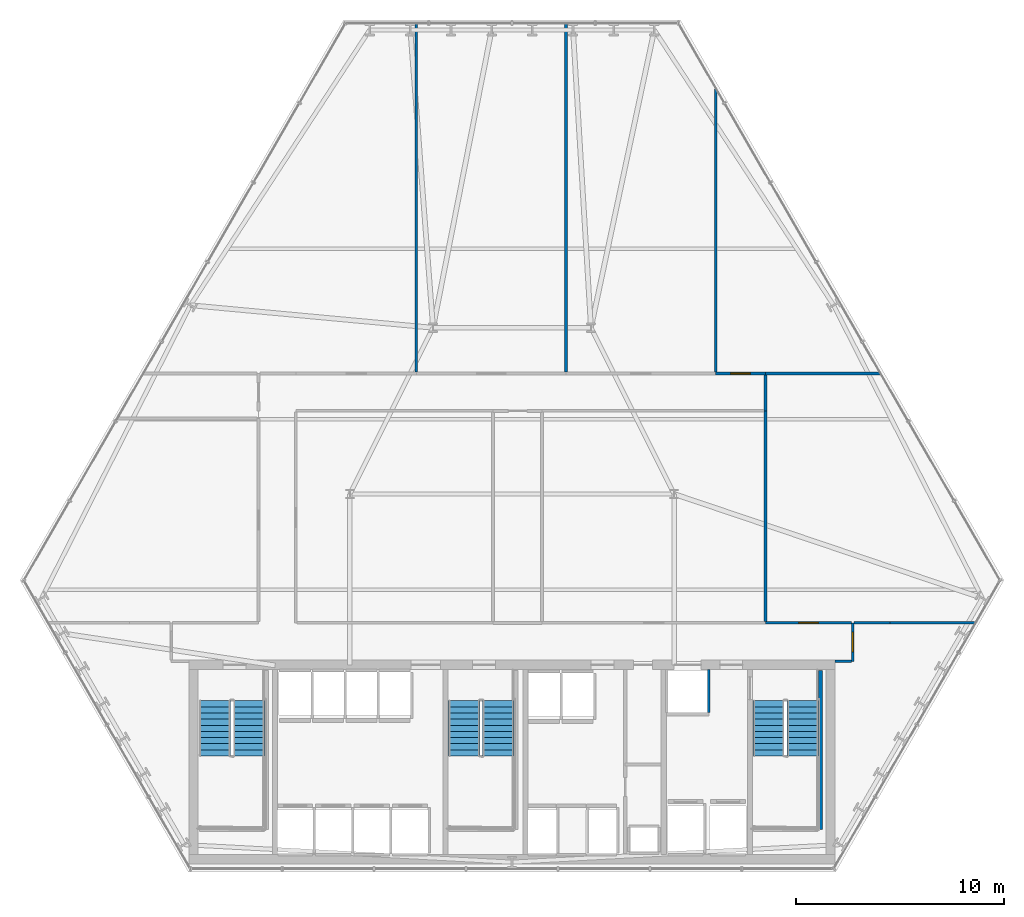
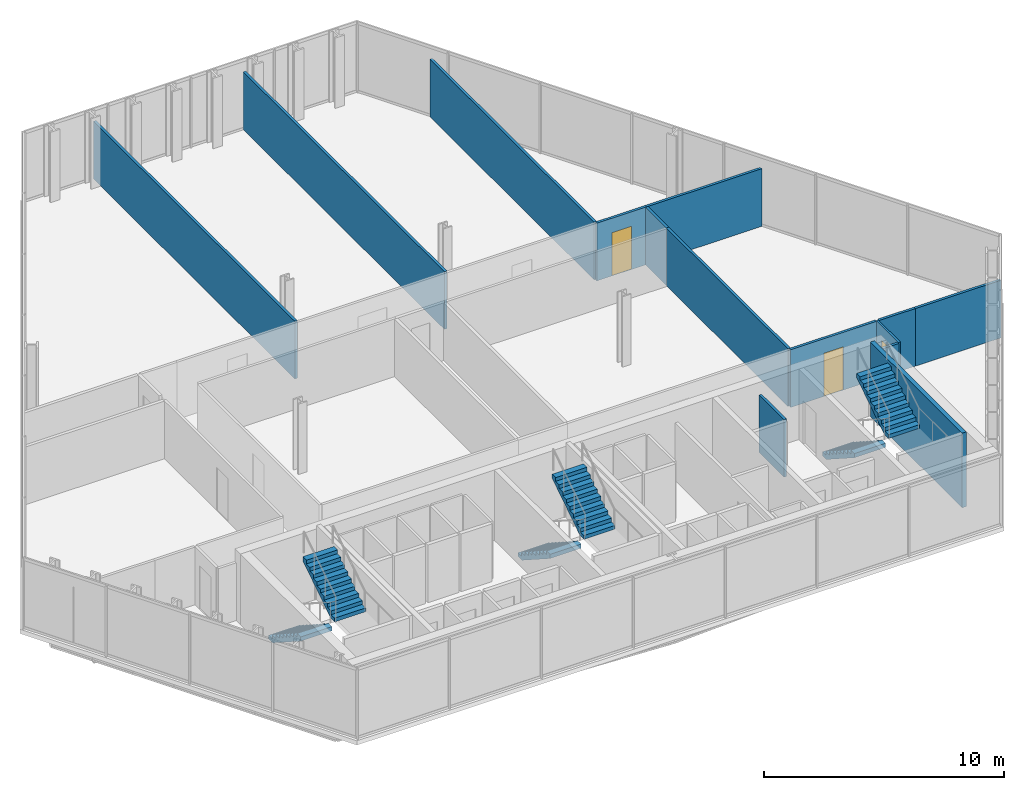
# One storey, part 29 of 32: 14 walls, 6 stair flights, 3 doors, 3 openings, 3 elements without a shape of their own.
"""IFC4 building model written with IfcOpenShell, lengths in metres."""

from ifc_helpers import new_model, si_unit, direction, frame, frame_2d, origin, place, context, subcontext, project, spatial, polyline, rectangle, outline, extrude, material, layer, layer_set, type_object, element, fill, aggregate, save


model = new_model("IFC4")

# Units and contexts
model_context = context("Model", 3, precision=1e-05, world=origin(), true_north=direction((0.0, 1.0)))
body_context = subcontext(model_context, "Body", "Model", "MODEL_VIEW")
ifc_project = project(units=[si_unit("LENGTHUNIT", "METRE"), si_unit("AREAUNIT", "SQUARE_METRE"), si_unit("VOLUMEUNIT", "CUBIC_METRE"), si_unit("PLANEANGLEUNIT", "RADIAN"), si_unit("MASSUNIT", "GRAM", prefix="KILO")], contexts=[model_context])

# Site, building, storey
site_placement = place(None, origin())
site = spatial("IfcSite", under=ifc_project, at=site_placement, CompositionType="ELEMENT")
building_placement = place(site_placement, origin())
building = spatial("IfcBuilding", under=site, at=building_placement, Name="Ndaravel Arena Tower", CompositionType="ELEMENT")
storey_placement = place(building_placement, frame((0.0, 0.0, 51.199951171875)))
storey = spatial("IfcBuildingStorey", under=building, at=storey_placement, Name="L10", CompositionType="ELEMENT", Elevation=51.199951171875)

# Wall, opening, door
ifc_material_1 = material(Name="Timber", Category="wood")
ifc_layer_1 = layer(ifc_material_1, 0.10009765625)
ifc_layer_set_1 = layer_set([ifc_layer_1], Name="Timber")
wall_type_1 = type_object("IfcWallType", Name="WALL-MOVABLE-100", PredefinedType="MOVABLE", material=ifc_layer_set_1)
wall_1_placement = place(storey_placement, frame((58.39990234375, 17.0, 0.0), z_axis=(0.0, 0.0, 1.0), x_axis=(0.0, -1.0, 0.0)))
wall_1 = element("IfcWall", 1, at=wall_1_placement, inside=storey, type_object=wall_type_1, Name="L10 Interior Partition 001", PredefinedType="MOVABLE", context=body_context, shape_type="SweptSolid", body=[
    extrude(rectangle(XDim=1.85009765625, YDim=0.10009765625, at=frame_2d((0.925048828125, 0.0))), origin(), (0.0, 0.0, 1.0), 2.932861328125),
])
opening_1_placement = place(wall_1_placement, frame((0.449951171875, 0.0, 0.0)))
opening_1 = element("IfcOpeningElement", 2, at=opening_1_placement, cuts=wall_1, Name="Opening ID-01", PredefinedType="OPENING", context=body_context, shape_type="SweptSolid", body=[
    extrude(rectangle(XDim=0.949951171875, YDim=2.199951171875, at=frame_2d((0.47509765625, 1.10009765625))), frame((0.0, 0.050048828125, 0.0), z_axis=(0.0, -1.0, 0.0), x_axis=(1.0, 0.0, 0.0)), (0.0, 0.0, 1.0), 0.10009765625),
])
ifc_material_2 = material(Name="Timber", Category="wood")
door_type = type_object("IfcDoorType", Name="DT-03-OFFICE-950", OperationType="SINGLE_SWING_LEFT", PredefinedType="DOOR", material=ifc_material_2)
door_1_placement = place(opening_1_placement, origin())
door_1 = element("IfcDoor", 3, at=door_1_placement, inside=storey, type_object=door_type, Name="L10 Collaborative Lounge Door", OperationType="SINGLE_SWING_RIGHT", OverallHeight=2.199951171875, OverallWidth=0.949951171875, PredefinedType="DOOR", context=body_context, shape_type="SweptSolid", body=[
    extrude(rectangle(XDim=0.949951171875, YDim=2.199951171875, at=frame_2d((0.47509765625, 1.10009765625))), frame((0.0, 0.02490234375, 0.0), z_axis=(0.0, -1.0, 0.0), x_axis=(1.0, 0.0, 0.0)), (0.0, 0.0, 1.0), 0.050048828125),
])
fill(opening_1, door_1)

# Wall
ifc_material_3 = material(Name="Gypsum", Category="gypsum")
ifc_layer_2 = layer(ifc_material_3, 0.125)
ifc_layer_set_2 = layer_set([ifc_layer_2], Name="Gypsum")
wall_type_2 = type_object("IfcWallType", Name="WALL-PART-125", PredefinedType="PARTITIONING", material=ifc_layer_set_2)
wall_2_placement = place(storey_placement, frame((58.3349609375, 15.14990234375, 0.0), z_axis=(0.0, 0.0, 1.0), x_axis=(-1.0, 0.0, 0.0)))
element("IfcWall", 4, at=wall_2_placement, inside=storey, type_object=wall_type_2, Name="L10 Interior Partition 002", PredefinedType="PARTITIONING", context=body_context, shape_type="SweptSolid", body=[
    extrude(rectangle(XDim=0.784912109375, YDim=0.125, at=frame_2d((0.392578125, 0.0))), origin(), (0.0, 0.0, 1.0), 2.932861328125),
])

# Wall, opening, door
wall_3_placement = place(storey_placement, frame((51.800048828125, 29.0, 0.0), z_axis=(0.0, 0.0, 1.0), x_axis=(1.0, 0.0, 0.0)))
wall_3 = element("IfcWall", 5, at=wall_3_placement, inside=storey, type_object=wall_type_2, Name="L10 Interior Partition 012", PredefinedType="PARTITIONING", context=body_context, shape_type="SweptSolid", body=[
    extrude(rectangle(XDim=2.39990234375, YDim=0.125, at=frame_2d((1.199951171875, 0.0))), origin(), (0.0, 0.0, 1.0), 2.932861328125),
])
opening_2_placement = place(wall_3_placement, frame((0.72509765625, 0.0, 0.0)))
opening_2 = element("IfcOpeningElement", 6, at=opening_2_placement, cuts=wall_3, Name="Opening ID-01", PredefinedType="OPENING", context=body_context, shape_type="SweptSolid", body=[
    extrude(rectangle(XDim=0.949951171875, YDim=2.199951171875, at=frame_2d((0.47509765625, 1.10009765625))), frame((0.0, 0.0625, 0.0), z_axis=(0.0, -1.0, 0.0), x_axis=(1.0, 0.0, 0.0)), (0.0, 0.0, 1.0), 0.125),
])
door_2_placement = place(opening_2_placement, origin())
door_2 = element("IfcDoor", 7, at=door_2_placement, inside=storey, type_object=door_type, Name="L10 Hospitality Sitting Room 2 Door", OperationType="SINGLE_SWING_LEFT", OverallHeight=2.199951171875, OverallWidth=0.949951171875, PredefinedType="DOOR", context=body_context, shape_type="SweptSolid", body=[
    extrude(rectangle(XDim=0.949951171875, YDim=2.199951171875, at=frame_2d((0.47509765625, 1.10009765625))), frame((0.0, 0.02490234375, 0.0), z_axis=(0.0, -1.0, 0.0), x_axis=(1.0, 0.0, 0.0)), (0.0, 0.0, 1.0), 0.050048828125),
])
fill(opening_2, door_2)

# Wall
wall_4_placement = place(storey_placement, frame((54.199951171875, 28.93505859375, 0.0), z_axis=(0.0, 0.0, 1.0), x_axis=(0.0, -1.0, 0.0)))
element("IfcWall", 8, at=wall_4_placement, inside=storey, type_object=wall_type_2, Name="L10 Interior Partition 013", PredefinedType="PARTITIONING", context=body_context, shape_type="SweptSolid", body=[
    extrude(rectangle(XDim=1.735107421875, YDim=0.125, at=frame_2d((0.86767578125, 0.0))), origin(), (0.0, 0.0, 1.0), 2.932861328125),
])

# Wall, opening, door
wall_5_placement = place(storey_placement, frame((54.199951171875, 17.0, 0.0), z_axis=(0.0, 0.0, 1.0), x_axis=(1.0, 0.0, 0.0)))
wall_5 = element("IfcWall", 9, at=wall_5_placement, inside=storey, type_object=wall_type_2, Name="L10 Interior Partition 021", PredefinedType="PARTITIONING", context=body_context, shape_type="SweptSolid", body=[
    extrude(rectangle(XDim=4.135009765625, YDim=0.125, at=frame_2d((2.0673828125, 0.0))), origin(), (0.0, 0.0, 1.0), 2.932861328125),
])
opening_3_placement = place(wall_5_placement, frame((1.592529296875, 0.0, 0.0)))
opening_3 = element("IfcOpeningElement", 10, at=opening_3_placement, cuts=wall_5, Name="Opening ID-01", PredefinedType="OPENING", context=body_context, shape_type="SweptSolid", body=[
    extrude(rectangle(XDim=0.949951171875, YDim=2.199951171875, at=frame_2d((0.47509765625, 1.10009765625))), frame((0.0, 0.0625, 0.0), z_axis=(0.0, -1.0, 0.0), x_axis=(1.0, 0.0, 0.0)), (0.0, 0.0, 1.0), 0.125),
])
door_3_placement = place(opening_3_placement, origin())
door_3 = element("IfcDoor", 11, at=door_3_placement, inside=storey, type_object=door_type, Name="L10 Advisory Desk Office 3 Door", OperationType="SINGLE_SWING_LEFT", OverallHeight=2.199951171875, OverallWidth=0.949951171875, PredefinedType="DOOR", context=body_context, shape_type="SweptSolid", body=[
    extrude(rectangle(XDim=0.949951171875, YDim=2.199951171875, at=frame_2d((0.47509765625, 1.10009765625))), frame((0.0, 0.02490234375, 0.0), z_axis=(0.0, -1.0, 0.0), x_axis=(1.0, 0.0, 0.0)), (0.0, 0.0, 1.0), 0.050048828125),
])
fill(opening_3, door_3)

# Walls
wall_6_placement = place(storey_placement, frame((58.465087890625, 17.0, 0.0), z_axis=(0.0, 0.0, 1.0), x_axis=(1.0, 0.0, 0.0)))
element("IfcWall", 12, at=wall_6_placement, inside=storey, type_object=wall_type_2, Name="L10 Interior Partition 024", PredefinedType="PARTITIONING", context=body_context, shape_type="SweptSolid", body=[
    extrude(rectangle(XDim=1.73486328125, YDim=0.125, at=frame_2d((0.867431640625, 0.0))), origin(), (0.0, 0.0, 1.0), 2.932861328125),
])
wall_7_placement = place(storey_placement, frame((60.199951171875, 17.0, 0.0), z_axis=(0.0, 0.0, 1.0), x_axis=(1.0, 0.0, 0.0)))
element("IfcWall", 13, at=wall_7_placement, inside=storey, type_object=wall_type_2, Name="L10 Interior Partition 025", PredefinedType="PARTITIONING", context=body_context, shape_type="SweptSolid", body=[
    extrude(rectangle(XDim=4.11572265625, YDim=0.125, at=frame_2d((2.057861328125, 0.0))), origin(), (0.0, 0.0, 1.0), 2.932861328125),
])
wall_8_placement = place(storey_placement, frame((54.199951171875, 27.199951171875, 0.0), z_axis=(0.0, 0.0, 1.0), x_axis=(0.0, -1.0, 0.0)))
element("IfcWall", 14, at=wall_8_placement, inside=storey, type_object=wall_type_2, Name="L10 Interior Partition 029", PredefinedType="PARTITIONING", context=body_context, shape_type="SweptSolid", body=[
    extrude(rectangle(XDim=10.135009765625, YDim=0.125, at=frame_2d((5.0673828125, 0.0))), origin(), (0.0, 0.0, 1.0), 2.932861328125),
])
wall_9_placement = place(storey_placement, frame((54.199951171875, 29.0, 0.0), z_axis=(0.0, 0.0, 1.0), x_axis=(1.0, 0.0, 0.0)))
element("IfcWall", 15, at=wall_9_placement, inside=storey, type_object=wall_type_2, Name="L10 Interior Partition 030", PredefinedType="PARTITIONING", context=body_context, shape_type="SweptSolid", body=[
    extrude(rectangle(XDim=5.54248046875, YDim=0.125, at=frame_2d((2.771240234375, 0.0))), origin(), (0.0, 0.0, 1.0), 2.932861328125),
])
wall_10_placement = place(storey_placement, frame((51.800048828125, 29.06494140625, 0.0), z_axis=(0.0, 0.0, 1.0), x_axis=(0.0, 1.0, 0.0)))
element("IfcWall", 16, at=wall_10_placement, inside=storey, type_object=wall_type_2, Name="L10 Interior Partition 032", PredefinedType="PARTITIONING", context=body_context, shape_type="SweptSolid", body=[
    extrude(rectangle(XDim=13.69189453125, YDim=0.125, at=frame_2d((6.845947265625, 0.0))), origin(), (0.0, 0.0, 1.0), 2.932861328125),
])
for number, where, z_axis, x_axis, name in (
    (17, (37.39990234375, 45.851318359375, 0.0), (0.0, 0.0, 1.0), (0.0, -1.0, 0.0), "L10 Interior Partition 033"),
    (18, (44.60009765625, 29.06494140625, 0.0), (0.0, 0.0, 1.0), (0.0, 1.0, 0.0), "L10 Interior Partition 034"),
):
    element("IfcWall", number, at=place(storey_placement, frame(where, z_axis=z_axis, x_axis=x_axis)), inside=storey, type_object=wall_type_2, Name=name, PredefinedType="PARTITIONING", context=body_context, shape_type="SweptSolid", body=[
        extrude(rectangle(XDim=16.786376953125, YDim=0.125, at=frame_2d((8.39306640625, 0.0))), origin(), (0.0, 0.0, 1.0), 2.932861328125),
    ])
ifc_material_4 = material(Name="Concrete C40/50", Category="concrete")
ifc_layer_3 = layer(ifc_material_4, 0.1201171875)
ifc_layer_set_3 = layer_set([ifc_layer_3], Name="Concrete C40/50")
wall_type_3 = type_object("IfcWallType", Name="WALL-SHAFT-120", PredefinedType="SOLIDWALL", material=ifc_layer_set_3)
wall_11_placement = place(storey_placement, frame((51.47998046875, 12.68994140625, 0.0), z_axis=(0.0, 0.0, 1.0), x_axis=(0.0, 1.0, 0.0)))
element("IfcWall", 19, at=wall_11_placement, inside=storey, type_object=wall_type_3, Name="L10 SVL-1 Shaft E Wall", PredefinedType="SOLIDWALL", context=body_context, shape_type="SweptSolid", body=[
    extrude(rectangle(XDim=2.070068359375, YDim=0.1201171875, at=frame_2d((1.03515625, 0.0))), origin(), (0.0, 0.0, 1.0), 2.932861328125),
])
ifc_material_5 = material(Name="Concrete C40/50", Category="concrete")
ifc_layer_4 = layer(ifc_material_5, 0.199951171875)
ifc_layer_set_4 = layer_set([ifc_layer_4], Name="Concrete C40/50")
wall_type_4 = type_object("IfcWallType", Name="WALL-SHAFT-200", PredefinedType="SOLIDWALL", material=ifc_layer_set_4)
wall_12_placement = place(storey_placement, frame((56.840087890625, 14.699951171875, 0.0), z_axis=(0.0, 0.0, 1.0), x_axis=(0.0, -1.0, 0.0)))
element("IfcWall", 20, at=wall_12_placement, inside=storey, type_object=wall_type_4, Name="L10 ST-3 Structural Shaft Wall Right", PredefinedType="SOLIDWALL", context=body_context, shape_type="SweptSolid", body=[
    extrude(rectangle(XDim=7.64990234375, YDim=0.199951171875, at=frame_2d((3.824951171875, 0.0))), origin(), (0.0, 0.0, 1.0), 3.800048828125),
])

# Stair, stair flights
ifc_material_6 = material(Name="Concrete C40/50", Category="concrete")
stair_type = type_object("IfcStairType", Name="STAIR-CORE-HT", PredefinedType="HALF_TURN_STAIR", material=ifc_material_6)
stair_1_placement = place(storey_placement, origin())
stair_1 = element("IfcStair", 21, at=stair_1_placement, inside=storey, type_object=stair_type, Name="L10 ST-1", PredefinedType="HALF_TURN_STAIR")
ifc_material_7 = material(Name="Concrete C40/50", Category="concrete")
stair_flight_type = type_object("IfcStairFlightType", Name="SFLIGHT-CORE-1680", PredefinedType="STRAIGHT", material=ifc_material_7)
stair_flight_1_placement = place(storey_placement, frame((27.699951171875, 13.25, 0.0), z_axis=(0.0, 0.0, 1.0), x_axis=(0.0, -1.0, 0.0)))
stair_flight_1 = element("IfcStairFlight", 22, at=stair_flight_1_placement, type_object=stair_flight_type, Name="ST-1 flight 1", NumberOfRisers=10, NumberOfTreads=9, PredefinedType="STRAIGHT", RiserHeight=0.19, TreadLength=0.295, context=body_context, shape_type="SweptSolid", body=[
    extrude(outline(polyline([(0.0, 0.0), (0.0, 0.18994140625), (0.294921875, 0.18994140625), (0.294921875, 0.3798828125), (0.590087890625, 0.3798828125), (0.590087890625, 0.570068359375), (0.885009765625, 0.570068359375), (0.885009765625, 0.760009765625), (1.179931640625, 0.760009765625), (1.179931640625, 0.949951171875), (1.47509765625, 0.949951171875), (1.47509765625, 1.139892578125), (1.77001953125, 1.139892578125), (1.77001953125, 1.330078125), (2.06494140625, 1.330078125), (2.06494140625, 1.52001953125), (2.360107421875, 1.52001953125), (2.360107421875, 1.7099609375), (2.655029296875, 1.7099609375), (2.655029296875, 1.89990234375), (2.655029296875, 1.49609375), (0.332275390625, 0.0), (0.0, 0.0)])), frame((0.0, 0.75, 0.0), z_axis=(0.0, -1.0, 0.0), x_axis=(1.0, 0.0, 0.0)), (0.0, 0.0, 1.0), 1.5),
])
stair_flight_2_placement = place(storey_placement, frame((29.340087890625, 10.594970703125, 1.900146484375), z_axis=(0.0, 0.0, 1.0), x_axis=(0.0, 1.0, 0.0)))
stair_flight_2 = element("IfcStairFlight", 23, at=stair_flight_2_placement, type_object=stair_flight_type, Name="ST-1 flight 2", NumberOfRisers=10, NumberOfTreads=9, PredefinedType="STRAIGHT", RiserHeight=0.19, TreadLength=0.295, context=body_context, shape_type="SweptSolid", body=[
    extrude(outline(polyline([(0.0, 0.0), (0.0, 0.18994140625), (0.294921875, 0.18994140625), (0.294921875, 0.3798828125), (0.590087890625, 0.3798828125), (0.590087890625, 0.570068359375), (0.885009765625, 0.570068359375), (0.885009765625, 0.760009765625), (1.179931640625, 0.760009765625), (1.179931640625, 0.949951171875), (1.47509765625, 0.949951171875), (1.47509765625, 1.139892578125), (1.77001953125, 1.139892578125), (1.77001953125, 1.330078125), (2.06494140625, 1.330078125), (2.06494140625, 1.52001953125), (2.360107421875, 1.52001953125), (2.360107421875, 1.7099609375), (2.655029296875, 1.7099609375), (2.655029296875, 1.89990234375), (2.655029296875, 1.49609375), (0.332275390625, 0.0), (0.0, 0.0)])), frame((0.0, 0.75, 0.0), z_axis=(0.0, -1.0, 0.0), x_axis=(1.0, 0.0, 0.0)), (0.0, 0.0, 1.0), 1.5),
])
aggregate(stair_1, [stair_flight_1, stair_flight_2])

stair_2_placement = place(storey_placement, origin())
stair_2 = element("IfcStair", 24, at=stair_2_placement, inside=storey, type_object=stair_type, Name="L10 ST-2", PredefinedType="HALF_TURN_STAIR")
stair_flight_3_placement = place(storey_placement, frame((39.699951171875, 13.25, 0.0), z_axis=(0.0, 0.0, 1.0), x_axis=(0.0, -1.0, 0.0)))
stair_flight_3 = element("IfcStairFlight", 25, at=stair_flight_3_placement, type_object=stair_flight_type, Name="ST-2 flight 1", NumberOfRisers=10, NumberOfTreads=9, PredefinedType="STRAIGHT", RiserHeight=0.19, TreadLength=0.295, context=body_context, shape_type="SweptSolid", body=[
    extrude(outline(polyline([(0.0, 0.0), (0.0, 0.18994140625), (0.294921875, 0.18994140625), (0.294921875, 0.3798828125), (0.590087890625, 0.3798828125), (0.590087890625, 0.570068359375), (0.885009765625, 0.570068359375), (0.885009765625, 0.760009765625), (1.179931640625, 0.760009765625), (1.179931640625, 0.949951171875), (1.47509765625, 0.949951171875), (1.47509765625, 1.139892578125), (1.77001953125, 1.139892578125), (1.77001953125, 1.330078125), (2.06494140625, 1.330078125), (2.06494140625, 1.52001953125), (2.360107421875, 1.52001953125), (2.360107421875, 1.7099609375), (2.655029296875, 1.7099609375), (2.655029296875, 1.89990234375), (2.655029296875, 1.49609375), (0.332275390625, 0.0), (0.0, 0.0)])), frame((0.0, 0.75, 0.0), z_axis=(0.0, -1.0, 0.0), x_axis=(1.0, 0.0, 0.0)), (0.0, 0.0, 1.0), 1.5),
])
stair_flight_4_placement = place(storey_placement, frame((41.340087890625, 10.594970703125, 1.900146484375), z_axis=(0.0, 0.0, 1.0), x_axis=(0.0, 1.0, 0.0)))
stair_flight_4 = element("IfcStairFlight", 26, at=stair_flight_4_placement, type_object=stair_flight_type, Name="ST-2 flight 2", NumberOfRisers=10, NumberOfTreads=9, PredefinedType="STRAIGHT", RiserHeight=0.19, TreadLength=0.295, context=body_context, shape_type="SweptSolid", body=[
    extrude(outline(polyline([(0.0, 0.0), (0.0, 0.18994140625), (0.294921875, 0.18994140625), (0.294921875, 0.3798828125), (0.590087890625, 0.3798828125), (0.590087890625, 0.570068359375), (0.885009765625, 0.570068359375), (0.885009765625, 0.760009765625), (1.179931640625, 0.760009765625), (1.179931640625, 0.949951171875), (1.47509765625, 0.949951171875), (1.47509765625, 1.139892578125), (1.77001953125, 1.139892578125), (1.77001953125, 1.330078125), (2.06494140625, 1.330078125), (2.06494140625, 1.52001953125), (2.360107421875, 1.52001953125), (2.360107421875, 1.7099609375), (2.655029296875, 1.7099609375), (2.655029296875, 1.89990234375), (2.655029296875, 1.49609375), (0.332275390625, 0.0), (0.0, 0.0)])), frame((0.0, 0.75, 0.0), z_axis=(0.0, -1.0, 0.0), x_axis=(1.0, 0.0, 0.0)), (0.0, 0.0, 1.0), 1.5),
])
aggregate(stair_2, [stair_flight_3, stair_flight_4])

stair_3_placement = place(storey_placement, origin())
stair_3 = element("IfcStair", 27, at=stair_3_placement, inside=storey, type_object=stair_type, Name="L10 ST-3", PredefinedType="HALF_TURN_STAIR")
stair_flight_5_placement = place(storey_placement, frame((54.35009765625, 13.25, 0.0), z_axis=(0.0, 0.0, 1.0), x_axis=(0.0, -1.0, 0.0)))
stair_flight_5 = element("IfcStairFlight", 28, at=stair_flight_5_placement, type_object=stair_flight_type, Name="ST-3 flight 1", NumberOfRisers=10, NumberOfTreads=9, PredefinedType="STRAIGHT", RiserHeight=0.19, TreadLength=0.295, context=body_context, shape_type="SweptSolid", body=[
    extrude(outline(polyline([(0.0, 0.0), (0.0, 0.18994140625), (0.294921875, 0.18994140625), (0.294921875, 0.3798828125), (0.590087890625, 0.3798828125), (0.590087890625, 0.570068359375), (0.885009765625, 0.570068359375), (0.885009765625, 0.760009765625), (1.179931640625, 0.760009765625), (1.179931640625, 0.949951171875), (1.47509765625, 0.949951171875), (1.47509765625, 1.139892578125), (1.77001953125, 1.139892578125), (1.77001953125, 1.330078125), (2.06494140625, 1.330078125), (2.06494140625, 1.52001953125), (2.360107421875, 1.52001953125), (2.360107421875, 1.7099609375), (2.655029296875, 1.7099609375), (2.655029296875, 1.89990234375), (2.655029296875, 1.49609375), (0.332275390625, 0.0), (0.0, 0.0)])), frame((0.0, 0.75, 0.0), z_axis=(0.0, -1.0, 0.0), x_axis=(1.0, 0.0, 0.0)), (0.0, 0.0, 1.0), 1.5),
])
stair_flight_6_placement = place(storey_placement, frame((55.989990234375, 10.594970703125, 1.900146484375), z_axis=(0.0, 0.0, 1.0), x_axis=(0.0, 1.0, 0.0)))
stair_flight_6 = element("IfcStairFlight", 29, at=stair_flight_6_placement, type_object=stair_flight_type, Name="ST-3 flight 2", NumberOfRisers=10, NumberOfTreads=9, PredefinedType="STRAIGHT", RiserHeight=0.19, TreadLength=0.295, context=body_context, shape_type="SweptSolid", body=[
    extrude(outline(polyline([(0.0, 0.0), (0.0, 0.18994140625), (0.294921875, 0.18994140625), (0.294921875, 0.3798828125), (0.590087890625, 0.3798828125), (0.590087890625, 0.570068359375), (0.885009765625, 0.570068359375), (0.885009765625, 0.760009765625), (1.179931640625, 0.760009765625), (1.179931640625, 0.949951171875), (1.47509765625, 0.949951171875), (1.47509765625, 1.139892578125), (1.77001953125, 1.139892578125), (1.77001953125, 1.330078125), (2.06494140625, 1.330078125), (2.06494140625, 1.52001953125), (2.360107421875, 1.52001953125), (2.360107421875, 1.7099609375), (2.655029296875, 1.7099609375), (2.655029296875, 1.89990234375), (2.655029296875, 1.49609375), (0.332275390625, 0.0), (0.0, 0.0)])), frame((0.0, 0.75, 0.0), z_axis=(0.0, -1.0, 0.0), x_axis=(1.0, 0.0, 0.0)), (0.0, 0.0, 1.0), 1.5),
])
aggregate(stair_3, [stair_flight_5, stair_flight_6])

save(model, "model.ifc")
